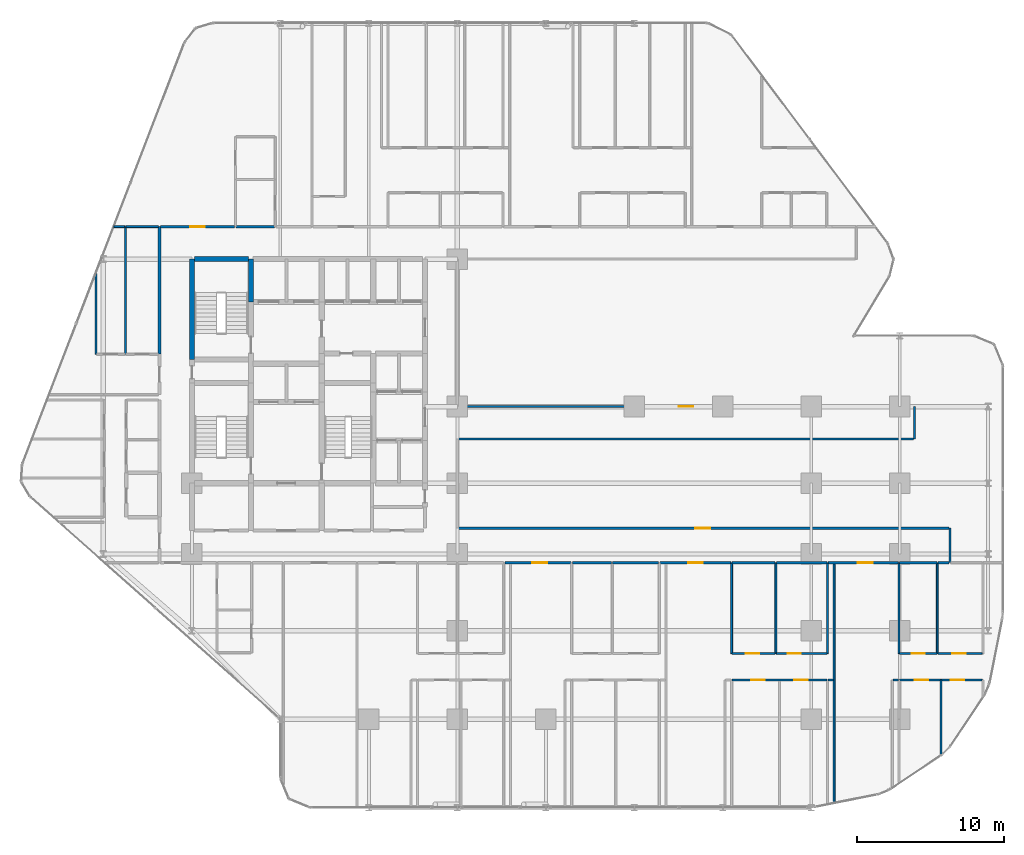
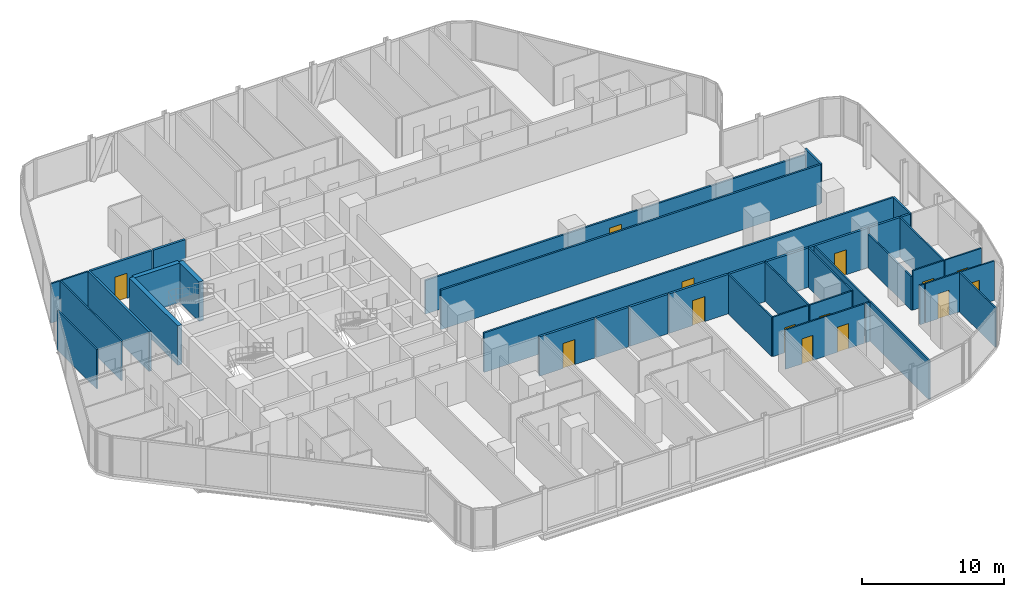
# One storey, part 29 of 33: 39 walls, 14 doors, 14 openings.
"""IFC4 building model written with IfcOpenShell, lengths in metres."""

import ifcopenshell
import ifcopenshell.guid

model = None  # the IFC model being written
_history = None  # IfcOwnerHistory: only IFC2X3 demands one
_inside = {}  # id of a spatial element -> (the spatial element, [elements in it])
_under = {}  # id of a project, library or spatial element -> (it, [spatial elements below it])
_declared = {}  # id of a project -> (the project, [libraries it declares])
_typed = {}  # id of a type object -> (the type object, [elements of that type])
_made_of = {}  # id of a material, layer set ... -> (it, [elements and type objects made of it])


def new_model(schema):
    """Start an empty IFC model of exactly this schema.

    Asked for "IFC4X3", IfcOpenShell would pick the latest addendum, in which some entities
    have other attributes; the version numbers below select the first issue.
    IFC2X3 requires an IfcOwnerHistory on every rooted entity: one is made here for all.
    """
    global model, _history
    if schema == "IFC4X3":
        model = ifcopenshell.file(schema_version=(4, 3, 0, 0))
    else:
        model = ifcopenshell.file(schema=schema)
    _inside.clear()
    _under.clear()
    _declared.clear()
    _typed.clear()
    _made_of.clear()
    _history = None
    if model.schema == "IFC2X3":
        org = make("IfcOrganization", Name="unknown")
        user = make(
            "IfcPersonAndOrganization",
            ThePerson=make("IfcPerson", FamilyName="unknown"),
            TheOrganization=org,
        )
        app = make(
            "IfcApplication",
            ApplicationDeveloper=org,
            Version="unknown",
            ApplicationFullName="unknown",
            ApplicationIdentifier="unknown",
        )
        _history = make(
            "IfcOwnerHistory",
            OwningUser=user,
            OwningApplication=app,
            ChangeAction="ADDED",
            CreationDate=0,
        )
    return model


def make(cls, **values):
    """One entity of the class cls with the attributes given. An attribute that is None is left unset."""
    return model.create_entity(
        cls, **{name: value for name, value in values.items() if value is not None}
    )


def rooted(cls, **values):
    """An entity with a GlobalId (a new one), such as an element, a storey or a relation."""
    return make(cls, GlobalId=ifcopenshell.guid.new(), OwnerHistory=_history, **values)


def si_unit(unit_type, name, prefix=None):
    """IfcSIUnit, for example si_unit("LENGTHUNIT", "METRE", prefix="MILLI")."""
    return make("IfcSIUnit", UnitType=unit_type, Prefix=prefix, Name=name)


def assignment(units):
    """IfcUnitAssignment: the units of a project."""
    return None if units is None else make("IfcUnitAssignment", Units=units)


def point(xyz):
    """IfcCartesianPoint."""
    return None if xyz is None else make("IfcCartesianPoint", Coordinates=xyz)


def direction(xyz):
    """IfcDirection."""
    return None if xyz is None else make("IfcDirection", DirectionRatios=xyz)


def frame(location, z_axis=None, x_axis=None):
    """IfcAxis2Placement3D, a coordinate frame: its origin and axes. An axis left out is left unset."""
    return make(
        "IfcAxis2Placement3D",
        Location=point(location),
        Axis=direction(z_axis),
        RefDirection=direction(x_axis),
    )


def frame_2d(location, x_axis=None):
    """IfcAxis2Placement2D, a coordinate frame in the plane: its origin and x axis."""
    return make(
        "IfcAxis2Placement2D", Location=point(location), RefDirection=direction(x_axis)
    )


def origin():
    """The frame at (0, 0, 0) with its axes left unset."""
    return frame((0.0, 0.0, 0.0))


def place(relative_to, where):
    """IfcLocalPlacement: puts the frame where relative to a parent placement (None: the world)."""
    return make(
        "IfcLocalPlacement", PlacementRelTo=relative_to, RelativePlacement=where
    )


def context(
    kind, dimensions, precision=None, world=None, true_north=None, identifier=None
):
    """IfcGeometricRepresentationContext, for example the 3D "Model" context."""
    return make(
        "IfcGeometricRepresentationContext",
        ContextIdentifier=identifier,
        ContextType=kind,
        CoordinateSpaceDimension=dimensions,
        Precision=precision,
        WorldCoordinateSystem=world,
        TrueNorth=true_north,
    )


def subcontext(parent, identifier, kind, view, scale=None):
    """IfcGeometricRepresentationSubContext, for example "Body" below "Model"."""
    return make(
        "IfcGeometricRepresentationSubContext",
        ContextIdentifier=identifier,
        ContextType=kind,
        ParentContext=parent,
        TargetScale=scale,
        TargetView=view,
    )


def project(units=None, contexts=None):
    """IfcProject with its units and contexts."""
    return rooted(
        "IfcProject",
        Name="project",
        RepresentationContexts=contexts,
        UnitsInContext=assignment(units),
    )


def spatial(cls, under=None, at=None, **own):
    """A site, building, storey or space (cls), placed at a placement, below another one or the project."""
    s = rooted(cls, ObjectPlacement=at, **own)
    if under is not None:
        _under.setdefault(under.id(), (under, []))[1].append(s)
    return s


def profile(cls, at=None, kind="AREA", **sizes):
    """A parametric profile (cls). Its sizes go by their IFC names, for example OverallWidth=200.0."""
    return make(cls, ProfileType=kind, Position=at, **sizes)


def rectangle(**sizes):
    """IfcRectangleProfileDef."""
    return profile("IfcRectangleProfileDef", **sizes)


def extrude(swept, where, along, depth):
    """IfcExtrudedAreaSolid: the profile swept, set in the frame where, extruded along a direction by depth."""
    return make(
        "IfcExtrudedAreaSolid",
        SweptArea=swept,
        Position=where,
        ExtrudedDirection=direction(along),
        Depth=depth,
    )


def shape(context_of_items, identifier, shape_type, items):
    """IfcShapeRepresentation: the items that make up one representation, for example the "Body"."""
    return make(
        "IfcShapeRepresentation",
        ContextOfItems=context_of_items,
        RepresentationIdentifier=identifier,
        RepresentationType=shape_type,
        Items=items,
    )


def material(Name=None, Category=None):
    """IfcMaterial."""
    return make("IfcMaterial", Name=Name, Category=Category)


def layer(
    of_material, thickness, ventilated=None, Name=None, Category=None, Priority=None
):
    """IfcMaterialLayer: one layer of a wall or slab, of a material (None: an air gap)."""
    return make(
        "IfcMaterialLayer",
        Material=of_material,
        LayerThickness=thickness,
        IsVentilated=ventilated,
        Name=Name,
        Category=Category,
        Priority=Priority,
    )


def layer_set(layers, Name=None):
    """IfcMaterialLayerSet."""
    return make("IfcMaterialLayerSet", MaterialLayers=layers, LayerSetName=Name)


def made_of(thing, what):
    """Note that an element or type object is made of a material, layer set ...; save() writes the relation."""
    if what is not None:
        _made_of.setdefault(what.id(), (what, []))[1].append(thing)
    return thing


def type_object(cls, material=None, **own):
    """A type object (cls), such as IfcWallType, which elements share."""
    return made_of(rooted(cls, **own), material)


def element(
    cls,
    number,
    at=None,
    inside=None,
    cuts=None,
    type_object=None,
    material=None,
    context=None,
    identifier="Body",
    shape_type=None,
    held_by="IfcProductDefinitionShape",
    body=None,
    shapes=None,
    **own,
):
    """One element of the class cls, such as IfcWall. Its Tag is "e" and its number.

    at: its placement. inside: the storey or other place that contains it. cuts: it is an
    opening in that element (IfcRelVoidsElement). A single representation is given by context,
    identifier, shape_type and body (its items); several are given by shapes. held_by: the class
    of the entity that holds the representations. save() writes the other relations.
    """
    e = rooted(cls, Tag="e%d" % number, ObjectPlacement=at, **own)
    if body is not None:
        shapes = [shape(context, identifier, shape_type, body)]
    if shapes is not None:
        e.Representation = make(held_by, Representations=shapes)
    if inside is not None:
        _inside.setdefault(inside.id(), (inside, []))[1].append(e)
    if cuts is not None:
        rooted(
            "IfcRelVoidsElement", RelatingBuildingElement=cuts, RelatedOpeningElement=e
        )
    if type_object is not None:
        _typed.setdefault(type_object.id(), (type_object, []))[1].append(e)
    return made_of(e, material)


def fill(opening, filler):
    """IfcRelFillsElement: the door or window that sits in an opening."""
    return rooted(
        "IfcRelFillsElement",
        RelatingOpeningElement=opening,
        RelatedBuildingElement=filler,
    )


def aggregate(whole, parts):
    """IfcRelAggregates: a whole, such as a stair, and the parts it consists of."""
    return rooted("IfcRelAggregates", RelatingObject=whole, RelatedObjects=parts)


def save(model, path):
    """Write the relations noted so far, then the file.

    IfcRelAggregates (storeys below a building ...), IfcRelContainedInSpatialStructure (elements
    in a storey), IfcRelDefinesByType, IfcRelAssociatesMaterial and IfcRelDeclares: one each for
    every whole, place, type object, material and project.
    """
    for whole, parts in _under.values():
        aggregate(whole, parts)
    for where, things in _inside.values():
        rooted(
            "IfcRelContainedInSpatialStructure",
            RelatedElements=things,
            RelatingStructure=where,
        )
    for kind, things in _typed.values():
        rooted("IfcRelDefinesByType", RelatedObjects=things, RelatingType=kind)
    for what, things in _made_of.values():
        rooted("IfcRelAssociatesMaterial", RelatedObjects=things, RelatingMaterial=what)
    for by, libraries in _declared.values():
        rooted("IfcRelDeclares", RelatingContext=by, RelatedDefinitions=libraries)
    model.write(path)


model = new_model("IFC4")

# Units and contexts
model_context = context("Model", 3, precision=1e-05, world=origin(), true_north=direction((0.0, 1.0)))
body_context = subcontext(model_context, "Body", "Model", "MODEL_VIEW")
ifc_project = project(units=[si_unit("LENGTHUNIT", "METRE"), si_unit("AREAUNIT", "SQUARE_METRE"), si_unit("VOLUMEUNIT", "CUBIC_METRE"), si_unit("PLANEANGLEUNIT", "RADIAN"), si_unit("MASSUNIT", "GRAM", prefix="KILO")], contexts=[model_context])

# Site, building, storey
site_placement = place(None, origin())
site = spatial("IfcSite", under=ifc_project, at=site_placement, CompositionType="ELEMENT")
building_placement = place(site_placement, origin())
building = spatial("IfcBuilding", under=site, at=building_placement, Name="Keshet Zoharim Tower", CompositionType="ELEMENT")
storey_placement = place(building_placement, frame((0.0, 0.0, 42.5)))
storey = spatial("IfcBuildingStorey", under=building, at=storey_placement, Name="L09", CompositionType="ELEMENT", Elevation=42.5)

# Walls
ifc_material_1 = material(Name="Gypsum Plasterboard", Category="gypsum")
ifc_layer_1 = layer(ifc_material_1, 0.14990234375)
ifc_layer_set_1 = layer_set([ifc_layer_1], Name="Gypsum Plasterboard")
wall_type_1 = type_object("IfcWallType", Name="WL-CLIN-150", PredefinedType="STANDARD", material=ifc_layer_set_1)
wall_1_placement = place(storey_placement, frame((64.0, 25.699951171875, 0.0), z_axis=(0.0, 0.0, 1.0), x_axis=(0.0, 1.0, 0.0)))
element("IfcWall", 1, at=wall_1_placement, inside=storey, type_object=wall_type_1, Name="L09 Interior Wall 114", PredefinedType="STANDARD", context=body_context, shape_type="SweptSolid", body=[
    extrude(rectangle(XDim=2.199951171875, YDim=0.14990234375, at=frame_2d((1.10009765625, 0.0))), origin(), (0.0, 0.0, 1.0), 3.385009765625),
])
wall_2_placement = place(storey_placement, frame((66.39990234375, 17.31005859375, 0.0), z_axis=(0.0, 0.0, 1.0), x_axis=(0.0, 1.0, 0.0)))
element("IfcWall", 2, at=wall_2_placement, inside=storey, type_object=wall_type_1, Name="L09 Interior Wall 117", PredefinedType="STANDARD", context=body_context, shape_type="SweptSolid", body=[
    extrude(rectangle(XDim=2.33984375, YDim=0.14990234375, at=frame_2d((1.169921875, 0.0))), origin(), (0.0, 0.0, 1.0), 3.385009765625),
])

# Wall, opening, door
wall_3_placement = place(storey_placement, frame((33.070068359375, 19.64990234375, 0.0), z_axis=(0.0, 0.0, 1.0), x_axis=(1.0, 0.0, 0.0)))
wall_3 = element("IfcWall", 3, at=wall_3_placement, inside=storey, type_object=wall_type_1, Name="L09 Interior Wall 164", PredefinedType="STANDARD", context=body_context, shape_type="SweptSolid", body=[
    extrude(rectangle(XDim=33.27001953125, YDim=0.14990234375, at=frame_2d((16.635009765625, 0.0))), origin(), (0.0, 0.0, 1.0), 3.385009765625),
])
opening_1_placement = place(wall_3_placement, frame((16.06494140625, 0.0, 0.0)))
opening_1 = element("IfcOpeningElement", 4, at=opening_1_placement, cuts=wall_3, Name="Opening D-F310", PredefinedType="OPENING", context=body_context, shape_type="SweptSolid", body=[
    extrude(rectangle(XDim=1.0, YDim=2.14990234375, at=frame_2d((0.5, 1.074951171875))), frame((0.0, 0.0849609375, 0.0), z_axis=(0.0, -1.0, 0.0), x_axis=(1.0, 0.0, 0.0)), (0.0, 0.0, 1.0), 0.169921875),
])
ifc_material_2 = material(Name="Hardwood Timber", Category="wood")
door_type_1 = type_object("IfcDoorType", Name="DR-FD30-100", OperationType="NOTDEFINED", PredefinedType="DOOR", material=ifc_material_2)
door_1_placement = place(opening_1_placement, origin())
door_1 = element("IfcDoor", 5, at=door_1_placement, inside=storey, type_object=door_type_1, Name="L09 North East Residents Services Suite Door 1", OperationType="SINGLE_SWING_RIGHT", OverallHeight=2.14990234375, OverallWidth=1.0, PredefinedType="DOOR", context=body_context, shape_type="SweptSolid", body=[
    extrude(rectangle(XDim=1.0, YDim=2.14990234375, at=frame_2d((0.5, 1.074951171875))), frame((0.0, 0.02490234375, 0.0), z_axis=(0.0, -1.0, 0.0), x_axis=(1.0, 0.0, 0.0)), (0.0, 0.0, 1.0), 0.050048828125),
])
fill(opening_1, door_1)

# Wall
wall_4_placement = place(storey_placement, frame((33.070068359375, 25.699951171875, 0.0), z_axis=(0.0, 0.0, 1.0), x_axis=(1.0, 0.0, 0.0)))
element("IfcWall", 6, at=wall_4_placement, inside=storey, type_object=wall_type_1, Name="L09 Interior Wall 178", PredefinedType="STANDARD", context=body_context, shape_type="SweptSolid", body=[
    extrude(rectangle(XDim=30.869873046875, YDim=0.14990234375, at=frame_2d((15.43505859375, 0.0))), origin(), (0.0, 0.0, 1.0), 3.385009765625),
])

# Wall, opening, door
wall_5_placement = place(storey_placement, frame((33.070068359375, 27.89990234375, 0.0), z_axis=(0.0, 0.0, 1.0), x_axis=(1.0, 0.0, 0.0)))
wall_5 = element("IfcWall", 7, at=wall_5_placement, inside=storey, type_object=wall_type_1, Name="L09 Interior Wall 179", PredefinedType="STANDARD", context=body_context, shape_type="SweptSolid", body=[
    extrude(rectangle(XDim=30.869873046875, YDim=0.14990234375, at=frame_2d((15.43505859375, 0.0))), origin(), (0.0, 0.0, 1.0), 2.885009765625),
])
opening_2_placement = place(wall_5_placement, frame((14.93505859375, 0.0, 0.0)))
opening_2 = element("IfcOpeningElement", 8, at=opening_2_placement, cuts=wall_5, Name="Opening D-F310", PredefinedType="OPENING", context=body_context, shape_type="SweptSolid", body=[
    extrude(rectangle(XDim=1.0, YDim=2.14990234375, at=frame_2d((0.5, 1.074951171875))), frame((0.0, 0.0849609375, 0.0), z_axis=(0.0, -1.0, 0.0), x_axis=(1.0, 0.0, 0.0)), (0.0, 0.0, 1.0), 0.169921875),
])
door_2_placement = place(opening_2_placement, origin())
door_2 = element("IfcDoor", 9, at=door_2_placement, inside=storey, type_object=door_type_1, Name="L09 North East Residents Services Suite Door 2", OperationType="SINGLE_SWING_RIGHT", OverallHeight=2.14990234375, OverallWidth=1.0, PredefinedType="DOOR", context=body_context, shape_type="SweptSolid", body=[
    extrude(rectangle(XDim=1.0, YDim=2.14990234375, at=frame_2d((0.5, 1.074951171875))), frame((0.0, 0.02490234375, 0.0), z_axis=(0.0, -1.0, 0.0), x_axis=(1.0, 0.0, 0.0)), (0.0, 0.0, 1.0), 0.050048828125),
])
fill(opening_2, door_2)

# Walls
ifc_material_3 = material(Name="Concrete C60/75", Category="concrete")
ifc_layer_2 = layer(ifc_material_3, 0.35009765625)
ifc_layer_set_2 = layer_set([ifc_layer_2], Name="Concrete C60/75")
wall_type_2 = type_object("IfcWallType", Name="WL-CORE-350", PredefinedType="SHEAR", material=ifc_layer_set_2)
wall_6_placement = place(storey_placement, frame((15.0, 31.10009765625, 0.0), z_axis=(0.0, 0.0, 1.0), x_axis=(0.0, 1.0, 0.0)))
element("IfcWall", 10, at=wall_6_placement, inside=storey, type_object=wall_type_2, Name="L09 Core Shear Wall 016", PredefinedType="SHEAR", context=body_context, shape_type="SweptSolid", body=[
    extrude(rectangle(XDim=6.7998046875, YDim=0.35009765625, at=frame_2d((3.39990234375, 0.0))), origin(), (0.0, 0.0, 1.0), 3.385009765625),
])
wall_7_placement = place(storey_placement, frame((19.0, 35.0, 0.0), z_axis=(0.0, 0.0, 1.0), x_axis=(0.0, 1.0, 0.0)))
element("IfcWall", 11, at=wall_7_placement, inside=storey, type_object=wall_type_2, Name="L09 Core Shear Wall 025", PredefinedType="SHEAR", context=body_context, shape_type="SweptSolid", body=[
    extrude(rectangle(XDim=2.89990234375, YDim=0.35009765625, at=frame_2d((1.449951171875, 0.0))), origin(), (0.0, 0.0, 1.0), 3.385009765625),
])
wall_8_placement = place(storey_placement, frame((15.159912109375, 37.89990234375, 0.0), z_axis=(0.0, 0.0, 1.0), x_axis=(1.0, 0.0, 0.0)))
element("IfcWall", 12, at=wall_8_placement, inside=storey, type_object=wall_type_2, Name="L09 Core Shear Wall 195", PredefinedType="SHEAR", context=body_context, shape_type="SweptSolid", body=[
    extrude(rectangle(XDim=3.68017578125, YDim=0.35009765625, at=frame_2d((1.840087890625, 0.0))), origin(), (0.0, 0.0, 1.0), 3.385009765625),
])
ifc_layer_3 = layer(ifc_material_1, 0.179931640625)
ifc_layer_set_3 = layer_set([ifc_layer_3], Name="Gypsum Plasterboard")
wall_type_3 = type_object("IfcWallType", Name="WL-CORR-180", PredefinedType="STANDARD", material=ifc_layer_set_3)
wall_9_placement = place(storey_placement, frame((12.800048828125, 31.449951171875, 0.0), z_axis=(0.0, 0.0, 1.0), x_axis=(0.0, 1.0, 0.0)))
element("IfcWall", 13, at=wall_9_placement, inside=storey, type_object=wall_type_3, Name="L09 Interior Wall 012", PredefinedType="STANDARD", context=body_context, shape_type="SweptSolid", body=[
    extrude(rectangle(XDim=8.650146484375, YDim=0.179931640625, at=frame_2d((4.3251953125, 0.0))), origin(), (0.0, 0.0, 1.0), 3.385009765625),
])

# Wall, opening, door
wall_10_placement = place(storey_placement, frame((36.215087890625, 17.300048828125, 0.0), z_axis=(0.0, 0.0, 1.0), x_axis=(1.0, 0.0, 0.0)))
wall_10 = element("IfcWall", 14, at=wall_10_placement, inside=storey, type_object=wall_type_3, Name="L09 Interior Wall 149", PredefinedType="STANDARD", context=body_context, shape_type="SweptSolid", body=[
    extrude(rectangle(XDim=4.5, YDim=0.179931640625, at=frame_2d((2.25, 0.0))), origin(), (0.0, 0.0, 1.0), 3.385009765625),
])
opening_3_placement = place(wall_10_placement, frame((1.87890625, 0.0, 0.0)))
opening_3 = element("IfcOpeningElement", 15, at=opening_3_placement, cuts=wall_10, Name="Opening D-F310", PredefinedType="OPENING", context=body_context, shape_type="SweptSolid", body=[
    extrude(rectangle(XDim=1.0, YDim=2.14990234375, at=frame_2d((0.5, 1.074951171875))), frame((0.0, 0.10009765625, 0.0), z_axis=(0.0, -1.0, 0.0), x_axis=(1.0, 0.0, 0.0)), (0.0, 0.0, 1.0), 0.199951171875),
])
door_3_placement = place(opening_3_placement, origin())
door_3 = element("IfcDoor", 16, at=door_3_placement, inside=storey, type_object=door_type_1, Name="Apartment 0903 Entrance Door", OperationType="SINGLE_SWING_LEFT", OverallHeight=2.14990234375, OverallWidth=1.0, PredefinedType="DOOR", context=body_context, shape_type="SweptSolid", body=[
    extrude(rectangle(XDim=1.0, YDim=2.14990234375, at=frame_2d((0.5, 1.074951171875))), frame((0.0, 0.02490234375, 0.0), z_axis=(0.0, -1.0, 0.0), x_axis=(1.0, 0.0, 0.0)), (0.0, 0.0, 1.0), 0.050048828125),
])
fill(opening_3, door_3)

# Walls
wall_11_placement = place(storey_placement, frame((40.804931640625, 17.300048828125, 0.0), z_axis=(0.0, 0.0, 1.0), x_axis=(1.0, 0.0, 0.0)))
element("IfcWall", 17, at=wall_11_placement, inside=storey, type_object=wall_type_3, Name="L09 Interior Wall 150", PredefinedType="STANDARD", context=body_context, shape_type="SweptSolid", body=[
    extrude(rectangle(XDim=2.64208984375, YDim=0.179931640625, at=frame_2d((1.321044921875, 0.0))), origin(), (0.0, 0.0, 1.0), 3.385009765625),
])
wall_12_placement = place(storey_placement, frame((43.537109375, 17.300048828125, 0.0), z_axis=(0.0, 0.0, 1.0), x_axis=(1.0, 0.0, 0.0)))
element("IfcWall", 18, at=wall_12_placement, inside=storey, type_object=wall_type_3, Name="L09 Interior Wall 151", PredefinedType="STANDARD", context=body_context, shape_type="SweptSolid", body=[
    extrude(rectangle(XDim=3.117919921875, YDim=0.179931640625, at=frame_2d((1.55908203125, 0.0))), origin(), (0.0, 0.0, 1.0), 3.385009765625),
])

# Wall, opening, door
wall_13_placement = place(storey_placement, frame((46.7451171875, 17.300048828125, 0.0), z_axis=(0.0, 0.0, 1.0), x_axis=(1.0, 0.0, 0.0)))
wall_13 = element("IfcWall", 19, at=wall_13_placement, inside=storey, type_object=wall_type_3, Name="L09 Interior Wall 152", PredefinedType="STANDARD", context=body_context, shape_type="SweptSolid", body=[
    extrude(rectangle(XDim=4.7998046875, YDim=0.179931640625, at=frame_2d((2.39990234375, 0.0))), origin(), (0.0, 0.0, 1.0), 3.385009765625),
])
opening_4_placement = place(wall_13_placement, frame((1.89990234375, 0.0, 0.0)))
opening_4 = element("IfcOpeningElement", 20, at=opening_4_placement, cuts=wall_13, Name="Opening D-F310", PredefinedType="OPENING", context=body_context, shape_type="SweptSolid", body=[
    extrude(rectangle(XDim=1.0, YDim=2.14990234375, at=frame_2d((0.5, 1.074951171875))), frame((0.0, 0.10009765625, 0.0), z_axis=(0.0, -1.0, 0.0), x_axis=(1.0, 0.0, 0.0)), (0.0, 0.0, 1.0), 0.199951171875),
])
door_4_placement = place(opening_4_placement, origin())
door_4 = element("IfcDoor", 21, at=door_4_placement, inside=storey, type_object=door_type_1, Name="Apartment 0904 Entrance Door", OperationType="SINGLE_SWING_RIGHT", OverallHeight=2.14990234375, OverallWidth=1.0, PredefinedType="DOOR", context=body_context, shape_type="SweptSolid", body=[
    extrude(rectangle(XDim=1.0, YDim=2.14990234375, at=frame_2d((0.5, 1.074951171875))), frame((0.0, 0.02490234375, 0.0), z_axis=(0.0, -1.0, 0.0), x_axis=(1.0, 0.0, 0.0)), (0.0, 0.0, 1.0), 0.050048828125),
])
fill(opening_4, door_4)

# Walls
wall_14_placement = place(storey_placement, frame((51.635009765625, 17.300048828125, 0.0), z_axis=(0.0, 0.0, 1.0), x_axis=(1.0, 0.0, 0.0)))
element("IfcWall", 22, at=wall_14_placement, inside=storey, type_object=wall_type_3, Name="L09 Interior Wall 153", PredefinedType="STANDARD", context=body_context, shape_type="SweptSolid", body=[
    extrude(rectangle(XDim=2.905029296875, YDim=0.179931640625, at=frame_2d((1.45263671875, 0.0))), origin(), (0.0, 0.0, 1.0), 3.385009765625),
])
wall_15_placement = place(storey_placement, frame((54.6298828125, 17.300048828125, 0.0), z_axis=(0.0, 0.0, 1.0), x_axis=(1.0, 0.0, 0.0)))
element("IfcWall", 23, at=wall_15_placement, inside=storey, type_object=wall_type_3, Name="L09 Interior Wall 154", PredefinedType="STANDARD", context=body_context, shape_type="SweptSolid", body=[
    extrude(rectangle(XDim=3.425048828125, YDim=0.179931640625, at=frame_2d((1.71240234375, 0.0))), origin(), (0.0, 0.0, 1.0), 3.385009765625),
])

# Wall, opening, door
wall_16_placement = place(storey_placement, frame((58.14501953125, 17.300048828125, 0.0), z_axis=(0.0, 0.0, 1.0), x_axis=(1.0, 0.0, 0.0)))
wall_16 = element("IfcWall", 24, at=wall_16_placement, inside=storey, type_object=wall_type_3, Name="L09 Interior Wall 155", PredefinedType="STANDARD", context=body_context, shape_type="SweptSolid", body=[
    extrude(rectangle(XDim=4.760009765625, YDim=0.179931640625, at=frame_2d((2.3798828125, 0.0))), origin(), (0.0, 0.0, 1.0), 3.385009765625),
])
opening_5_placement = place(wall_16_placement, frame((2.010009765625, 0.0, 0.0)))
opening_5 = element("IfcOpeningElement", 25, at=opening_5_placement, cuts=wall_16, Name="Opening D-F310", PredefinedType="OPENING", context=body_context, shape_type="SweptSolid", body=[
    extrude(rectangle(XDim=1.0, YDim=2.14990234375, at=frame_2d((0.5, 1.074951171875))), frame((0.0, 0.10009765625, 0.0), z_axis=(0.0, -1.0, 0.0), x_axis=(1.0, 0.0, 0.0)), (0.0, 0.0, 1.0), 0.199951171875),
])
door_5_placement = place(opening_5_placement, origin())
door_5 = element("IfcDoor", 26, at=door_5_placement, inside=storey, type_object=door_type_1, Name="Apartment 0905 Entrance Door", OperationType="SINGLE_SWING_LEFT", OverallHeight=2.14990234375, OverallWidth=1.0, PredefinedType="DOOR", context=body_context, shape_type="SweptSolid", body=[
    extrude(rectangle(XDim=1.0, YDim=2.14990234375, at=frame_2d((0.5, 1.074951171875))), frame((0.0, 0.02490234375, 0.0), z_axis=(0.0, -1.0, 0.0), x_axis=(1.0, 0.0, 0.0)), (0.0, 0.0, 1.0), 0.050048828125),
])
fill(opening_5, door_5)

# Walls
wall_17_placement = place(storey_placement, frame((62.9951171875, 17.300048828125, 0.0), z_axis=(0.0, 0.0, 1.0), x_axis=(1.0, 0.0, 0.0)))
element("IfcWall", 27, at=wall_17_placement, inside=storey, type_object=wall_type_3, Name="L09 Interior Wall 156", PredefinedType="STANDARD", context=body_context, shape_type="SweptSolid", body=[
    extrude(rectangle(XDim=2.52294921875, YDim=0.179931640625, at=frame_2d((1.261474609375, 0.0))), origin(), (0.0, 0.0, 1.0), 3.385009765625),
])
wall_18_placement = place(storey_placement, frame((65.60791015625, 17.300048828125, 0.0), z_axis=(0.0, 0.0, 1.0), x_axis=(1.0, 0.0, 0.0)))
element("IfcWall", 28, at=wall_18_placement, inside=storey, type_object=wall_type_3, Name="L09 Interior Wall 157", PredefinedType="STANDARD", context=body_context, shape_type="SweptSolid", body=[
    extrude(rectangle(XDim=0.732177734375, YDim=0.179931640625, at=frame_2d((0.3662109375, 0.0))), origin(), (0.0, 0.0, 1.0), 3.385009765625),
])

# Wall, opening, door
wall_19_placement = place(storey_placement, frame((12.875, 40.10009765625, 0.0), z_axis=(0.0, 0.0, 1.0), x_axis=(1.0, 0.0, 0.0)))
wall_19 = element("IfcWall", 29, at=wall_19_placement, inside=storey, type_object=wall_type_3, Name="L09 Interior Wall 200", PredefinedType="STANDARD", context=body_context, shape_type="SweptSolid", body=[
    extrude(rectangle(XDim=5.030029296875, YDim=0.179931640625, at=frame_2d((2.51513671875, 0.0))), origin(), (0.0, 0.0, 1.0), 3.385009765625),
])
opening_6_placement = place(wall_19_placement, frame((2.0, 0.0, 0.0)))
opening_6 = element("IfcOpeningElement", 30, at=opening_6_placement, cuts=wall_19, Name="Opening D-F310", PredefinedType="OPENING", context=body_context, shape_type="SweptSolid", body=[
    extrude(rectangle(XDim=1.0, YDim=2.14990234375, at=frame_2d((0.5, 1.074951171875))), frame((0.0, 0.10009765625, 0.0), z_axis=(0.0, -1.0, 0.0), x_axis=(1.0, 0.0, 0.0)), (0.0, 0.0, 1.0), 0.199951171875),
])
door_6_placement = place(opening_6_placement, origin())
door_6 = element("IfcDoor", 31, at=door_6_placement, inside=storey, type_object=door_type_1, Name="Apartment 0906 Entrance Door", OperationType="SINGLE_SWING_RIGHT", OverallHeight=2.14990234375, OverallWidth=1.0, PredefinedType="DOOR", context=body_context, shape_type="SweptSolid", body=[
    extrude(rectangle(XDim=1.0, YDim=2.14990234375, at=frame_2d((0.5, 1.074951171875))), frame((0.0, 0.02490234375, 0.0), z_axis=(0.0, -1.0, 0.0), x_axis=(1.0, 0.0, 0.0)), (0.0, 0.0, 1.0), 0.050048828125),
])
fill(opening_6, door_6)

# Walls
wall_20_placement = place(storey_placement, frame((17.9951171875, 40.10009765625, 0.0), z_axis=(0.0, 0.0, 1.0), x_axis=(1.0, 0.0, 0.0)))
element("IfcWall", 32, at=wall_20_placement, inside=storey, type_object=wall_type_3, Name="L09 Interior Wall 201", PredefinedType="STANDARD", context=body_context, shape_type="SweptSolid", body=[
    extrude(rectangle(XDim=2.60986328125, YDim=0.179931640625, at=frame_2d((1.304931640625, 0.0))), origin(), (0.0, 0.0, 1.0), 3.385009765625),
])
ifc_layer_4 = layer(ifc_material_1, 0.1201171875)
ifc_layer_set_4 = layer_set([ifc_layer_4], Name="Gypsum Plasterboard")
wall_type_4 = type_object("IfcWallType", Name="WL-PART-120", PredefinedType="PARTITIONING", material=ifc_layer_set_4)
wall_21_placement = place(storey_placement, frame((8.5, 31.449951171875, 0.0), z_axis=(0.0, 0.0, 1.0), x_axis=(0.0, 1.0, 0.0)))
element("IfcWall", 33, at=wall_21_placement, inside=storey, type_object=wall_type_4, Name="L09 Interior Wall 001", PredefinedType="PARTITIONING", context=body_context, shape_type="SweptSolid", body=[
    extrude(rectangle(XDim=5.5400390625, YDim=0.1201171875, at=frame_2d((2.77001953125, 0.0))), origin(), (0.0, 0.0, 1.0), 3.385009765625),
])
wall_22_placement = place(storey_placement, frame((51.60009765625, 11.14990234375, 0.0), z_axis=(0.0, 0.0, 1.0), x_axis=(0.0, 1.0, 0.0)))
element("IfcWall", 34, at=wall_22_placement, inside=storey, type_object=wall_type_4, Name="L09 Interior Wall 100", PredefinedType="PARTITIONING", context=body_context, shape_type="SweptSolid", body=[
    extrude(rectangle(XDim=6.150146484375, YDim=0.1201171875, at=frame_2d((3.0751953125, 0.0))), origin(), (0.0, 0.0, 1.0), 3.385009765625),
])
wall_23_placement = place(storey_placement, frame((58.550048828125, 1.01806640625, 0.0), z_axis=(0.0, 0.0, 1.0), x_axis=(0.0, 1.0, 0.0)))
element("IfcWall", 35, at=wall_23_placement, inside=storey, type_object=wall_type_4, Name="L09 Interior Wall 109", PredefinedType="PARTITIONING", context=body_context, shape_type="SweptSolid", body=[
    extrude(rectangle(XDim=16.281982421875, YDim=0.1201171875, at=frame_2d((8.14111328125, 0.0))), origin(), (0.0, 0.0, 1.0), 3.385009765625),
])
wall_24_placement = place(storey_placement, frame((62.949951171875, 11.14990234375, 0.0), z_axis=(0.0, 0.0, 1.0), x_axis=(0.0, 1.0, 0.0)))
element("IfcWall", 36, at=wall_24_placement, inside=storey, type_object=wall_type_4, Name="L09 Interior Wall 113", PredefinedType="PARTITIONING", context=body_context, shape_type="SweptSolid", body=[
    extrude(rectangle(XDim=6.150146484375, YDim=0.1201171875, at=frame_2d((3.0751953125, 0.0))), origin(), (0.0, 0.0, 1.0), 2.885009765625),
])
wall_25_placement = place(storey_placement, frame((65.800048828125, 4.256103515625, 0.0), z_axis=(0.0, 0.0, 1.0), x_axis=(0.0, 1.0, 0.0)))
element("IfcWall", 37, at=wall_25_placement, inside=storey, type_object=wall_type_4, Name="L09 Interior Wall 116", PredefinedType="PARTITIONING", context=body_context, shape_type="SweptSolid", body=[
    extrude(rectangle(XDim=5.093994140625, YDim=0.1201171875, at=frame_2d((2.546875, 0.0))), origin(), (0.0, 0.0, 1.0), 3.385009765625),
])

# Wall, openings, doors
wall_26_placement = place(storey_placement, frame((51.635009765625, 9.35009765625, 0.0), z_axis=(0.0, 0.0, 1.0), x_axis=(1.0, 0.0, 0.0)))
wall_26 = element("IfcWall", 38, at=wall_26_placement, inside=storey, type_object=wall_type_4, Name="L09 Interior Wall 127", PredefinedType="PARTITIONING", context=body_context, shape_type="SweptSolid", body=[
    extrude(rectangle(XDim=6.419921875, YDim=0.1201171875, at=frame_2d((3.2099609375, 0.0))), origin(), (0.0, 0.0, 1.0), 3.385009765625),
])
opening_7_placement = place(wall_26_placement, frame((1.306884765625, 0.0, 0.0)))
opening_7 = element("IfcOpeningElement", 39, at=opening_7_placement, cuts=wall_26, Name="Opening D-IN90", PredefinedType="OPENING", context=body_context, shape_type="SweptSolid", body=[
    extrude(rectangle(XDim=0.89990234375, YDim=2.14990234375, at=frame_2d((0.449951171875, 1.074951171875))), frame((0.0, 0.070068359375, 0.0), z_axis=(0.0, -1.0, 0.0), x_axis=(1.0, 0.0, 0.0)), (0.0, 0.0, 1.0), 0.14013671875),
])
opening_8_placement = place(wall_26_placement, frame((4.2119140625, 0.0, 0.0)))
opening_8 = element("IfcOpeningElement", 40, at=opening_8_placement, cuts=wall_26, Name="Opening D-IN90", PredefinedType="OPENING", context=body_context, shape_type="SweptSolid", body=[
    extrude(rectangle(XDim=0.89990234375, YDim=2.14990234375, at=frame_2d((0.449951171875, 1.074951171875))), frame((0.0, 0.070068359375, 0.0), z_axis=(0.0, -1.0, 0.0), x_axis=(1.0, 0.0, 0.0)), (0.0, 0.0, 1.0), 0.14013671875),
])
door_type_2 = type_object("IfcDoorType", Name="DR-INT-090", OperationType="NOTDEFINED", PredefinedType="DOOR", material=ifc_material_2)
door_7_placement = place(opening_7_placement, origin())
door_7 = element("IfcDoor", 41, at=door_7_placement, inside=storey, type_object=door_type_2, Name="Apartment 0904 Bedroom 1 Door", OperationType="SINGLE_SWING_RIGHT", OverallHeight=2.14990234375, OverallWidth=0.89990234375, PredefinedType="DOOR", context=body_context, shape_type="SweptSolid", body=[
    extrude(rectangle(XDim=0.89990234375, YDim=2.14990234375, at=frame_2d((0.449951171875, 1.074951171875))), frame((0.0, 0.02490234375, 0.0), z_axis=(0.0, -1.0, 0.0), x_axis=(1.0, 0.0, 0.0)), (0.0, 0.0, 1.0), 0.050048828125),
])
fill(opening_7, door_7)
door_8_placement = place(opening_8_placement, origin())
door_8 = element("IfcDoor", 42, at=door_8_placement, inside=storey, type_object=door_type_2, Name="Apartment 0904 Bedroom 2 Door", OperationType="SINGLE_SWING_LEFT", OverallHeight=2.14990234375, OverallWidth=0.89990234375, PredefinedType="DOOR", context=body_context, shape_type="SweptSolid", body=[
    extrude(rectangle(XDim=0.89990234375, YDim=2.14990234375, at=frame_2d((0.449951171875, 1.074951171875))), frame((0.0, 0.02490234375, 0.0), z_axis=(0.0, -1.0, 0.0), x_axis=(1.0, 0.0, 0.0)), (0.0, 0.0, 1.0), 0.050048828125),
])
fill(opening_8, door_8)

# Walls
wall_27_placement = place(storey_placement, frame((58.14501953125, 9.35009765625, 0.0), z_axis=(0.0, 0.0, 1.0), x_axis=(1.0, 0.0, 0.0)))
element("IfcWall", 43, at=wall_27_placement, inside=storey, type_object=wall_type_4, Name="L09 Interior Wall 128", PredefinedType="PARTITIONING", context=body_context, shape_type="SweptSolid", body=[
    extrude(rectangle(XDim=0.35986328125, YDim=0.1201171875, at=frame_2d((0.179931640625, 0.0))), origin(), (0.0, 0.0, 1.0), 3.385009765625),
])
wall_28_placement = place(storey_placement, frame((62.544921875, 9.35009765625, 0.0), z_axis=(0.0, 0.0, 1.0), x_axis=(1.0, 0.0, 0.0)))
element("IfcWall", 44, at=wall_28_placement, inside=storey, type_object=wall_type_4, Name="L09 Interior Wall 129", PredefinedType="PARTITIONING", context=body_context, shape_type="SweptSolid", body=[
    extrude(rectangle(XDim=0.360107421875, YDim=0.1201171875, at=frame_2d((0.18017578125, 0.0))), origin(), (0.0, 0.0, 1.0), 3.385009765625),
])

# Wall, openings, doors
wall_29_placement = place(storey_placement, frame((62.9951171875, 9.35009765625, 0.0), z_axis=(0.0, 0.0, 1.0), x_axis=(1.0, 0.0, 0.0)))
wall_29 = element("IfcWall", 45, at=wall_29_placement, inside=storey, type_object=wall_type_4, Name="L09 Interior Wall 130", PredefinedType="PARTITIONING", context=body_context, shape_type="SweptSolid", body=[
    extrude(rectangle(XDim=5.5908203125, YDim=0.1201171875, at=frame_2d((2.79541015625, 0.0))), origin(), (0.0, 0.0, 1.0), 3.385009765625),
])
opening_9_placement = place(wall_29_placement, frame((1.02490234375, 0.0, 0.0)))
opening_9 = element("IfcOpeningElement", 46, at=opening_9_placement, cuts=wall_29, Name="Opening D-IN90", PredefinedType="OPENING", context=body_context, shape_type="SweptSolid", body=[
    extrude(rectangle(XDim=0.89990234375, YDim=2.14990234375, at=frame_2d((0.449951171875, 1.074951171875))), frame((0.0, 0.070068359375, 0.0), z_axis=(0.0, -1.0, 0.0), x_axis=(1.0, 0.0, 0.0)), (0.0, 0.0, 1.0), 0.14013671875),
])
opening_10_placement = place(wall_29_placement, frame((3.47607421875, 0.0, 0.0)))
opening_10 = element("IfcOpeningElement", 47, at=opening_10_placement, cuts=wall_29, Name="Opening D-IN90", PredefinedType="OPENING", context=body_context, shape_type="SweptSolid", body=[
    extrude(rectangle(XDim=0.89990234375, YDim=2.14990234375, at=frame_2d((0.449951171875, 1.074951171875))), frame((0.0, 0.070068359375, 0.0), z_axis=(0.0, -1.0, 0.0), x_axis=(1.0, 0.0, 0.0)), (0.0, 0.0, 1.0), 0.14013671875),
])
door_9_placement = place(opening_9_placement, origin())
door_9 = element("IfcDoor", 48, at=door_9_placement, inside=storey, type_object=door_type_2, Name="Apartment 0905 Bedroom 1 Door", OperationType="SINGLE_SWING_RIGHT", OverallHeight=2.14990234375, OverallWidth=0.89990234375, PredefinedType="DOOR", context=body_context, shape_type="SweptSolid", body=[
    extrude(rectangle(XDim=0.89990234375, YDim=2.14990234375, at=frame_2d((0.449951171875, 1.074951171875))), frame((0.0, 0.02490234375, 0.0), z_axis=(0.0, -1.0, 0.0), x_axis=(1.0, 0.0, 0.0)), (0.0, 0.0, 1.0), 0.050048828125),
])
fill(opening_9, door_9)
door_10_placement = place(opening_10_placement, origin())
door_10 = element("IfcDoor", 49, at=door_10_placement, inside=storey, type_object=door_type_2, Name="Apartment 0905 Bedroom 2 Door", OperationType="SINGLE_SWING_LEFT", OverallHeight=2.14990234375, OverallWidth=0.89990234375, PredefinedType="DOOR", context=body_context, shape_type="SweptSolid", body=[
    extrude(rectangle(XDim=0.89990234375, YDim=2.14990234375, at=frame_2d((0.449951171875, 1.074951171875))), frame((0.0, 0.02490234375, 0.0), z_axis=(0.0, -1.0, 0.0), x_axis=(1.0, 0.0, 0.0)), (0.0, 0.0, 1.0), 0.050048828125),
])
fill(opening_10, door_10)

# Wall, opening, door
wall_30_placement = place(storey_placement, frame((51.635009765625, 11.14990234375, 0.0), z_axis=(0.0, 0.0, 1.0), x_axis=(1.0, 0.0, 0.0)))
wall_30 = element("IfcWall", 50, at=wall_30_placement, inside=storey, type_object=wall_type_4, Name="L09 Interior Wall 135", PredefinedType="PARTITIONING", context=body_context, shape_type="SweptSolid", body=[
    extrude(rectangle(XDim=2.905029296875, YDim=0.1201171875, at=frame_2d((1.45263671875, 0.0))), origin(), (0.0, 0.0, 1.0), 3.385009765625),
])
opening_11_placement = place(wall_30_placement, frame((0.929931640625, 0.0, 0.0)))
opening_11 = element("IfcOpeningElement", 51, at=opening_11_placement, cuts=wall_30, Name="Opening D-IN90", PredefinedType="OPENING", context=body_context, shape_type="SweptSolid", body=[
    extrude(rectangle(XDim=0.89990234375, YDim=2.14990234375, at=frame_2d((0.449951171875, 1.074951171875))), frame((0.0, 0.070068359375, 0.0), z_axis=(0.0, -1.0, 0.0), x_axis=(1.0, 0.0, 0.0)), (0.0, 0.0, 1.0), 0.14013671875),
])
door_11_placement = place(opening_11_placement, origin())
door_11 = element("IfcDoor", 52, at=door_11_placement, inside=storey, type_object=door_type_2, Name="Apartment 0904 Kitchen Door", OperationType="SINGLE_SWING_RIGHT", OverallHeight=2.14990234375, OverallWidth=0.89990234375, PredefinedType="DOOR", context=body_context, shape_type="SweptSolid", body=[
    extrude(rectangle(XDim=0.89990234375, YDim=2.14990234375, at=frame_2d((0.449951171875, 1.074951171875))), frame((0.0, 0.02490234375, 0.0), z_axis=(0.0, -1.0, 0.0), x_axis=(1.0, 0.0, 0.0)), (0.0, 0.0, 1.0), 0.050048828125),
])
fill(opening_11, door_11)

wall_31_placement = place(storey_placement, frame((62.9951171875, 11.14990234375, 0.0), z_axis=(0.0, 0.0, 1.0), x_axis=(1.0, 0.0, 0.0)))
wall_31 = element("IfcWall", 53, at=wall_31_placement, inside=storey, type_object=wall_type_4, Name="L09 Interior Wall 137", PredefinedType="PARTITIONING", context=body_context, shape_type="SweptSolid", body=[
    extrude(rectangle(XDim=2.52294921875, YDim=0.1201171875, at=frame_2d((1.261474609375, 0.0))), origin(), (0.0, 0.0, 1.0), 3.385009765625),
])
opening_12_placement = place(wall_31_placement, frame((0.81201171875, 0.0, 0.0)))
opening_12 = element("IfcOpeningElement", 54, at=opening_12_placement, cuts=wall_31, Name="Opening D-IN90", PredefinedType="OPENING", context=body_context, shape_type="SweptSolid", body=[
    extrude(rectangle(XDim=0.89990234375, YDim=2.14990234375, at=frame_2d((0.449951171875, 1.074951171875))), frame((0.0, 0.070068359375, 0.0), z_axis=(0.0, -1.0, 0.0), x_axis=(1.0, 0.0, 0.0)), (0.0, 0.0, 1.0), 0.14013671875),
])
door_12_placement = place(opening_12_placement, origin())
door_12 = element("IfcDoor", 55, at=door_12_placement, inside=storey, type_object=door_type_2, Name="Apartment 0905 Kitchen Door", OperationType="SINGLE_SWING_RIGHT", OverallHeight=2.14990234375, OverallWidth=0.89990234375, PredefinedType="DOOR", context=body_context, shape_type="SweptSolid", body=[
    extrude(rectangle(XDim=0.89990234375, YDim=2.14990234375, at=frame_2d((0.449951171875, 1.074951171875))), frame((0.0, 0.02490234375, 0.0), z_axis=(0.0, -1.0, 0.0), x_axis=(1.0, 0.0, 0.0)), (0.0, 0.0, 1.0), 0.050048828125),
])
fill(opening_12, door_12)

# Walls
wall_32_placement = place(storey_placement, frame((9.701904296875, 40.10009765625, 0.0), z_axis=(0.0, 0.0, 1.0), x_axis=(1.0, 0.0, 0.0)))
element("IfcWall", 56, at=wall_32_placement, inside=storey, type_object=wall_type_4, Name="L09 Interior Wall 198", PredefinedType="PARTITIONING", context=body_context, shape_type="SweptSolid", body=[
    extrude(rectangle(XDim=0.731201171875, YDim=0.1201171875, at=frame_2d((0.36572265625, 0.0))), origin(), (0.0, 0.0, 1.0), 3.385009765625),
])
ifc_layer_5 = layer(ifc_material_1, 0.1201171875)
ifc_layer_set_5 = layer_set([ifc_layer_5], Name="Gypsum Plasterboard")
wall_type_5 = type_object("IfcWallType", Name="WL-WET-120", PredefinedType="PARTITIONING", material=ifc_layer_set_5)
wall_33_placement = place(storey_placement, frame((10.5, 31.449951171875, 0.0), z_axis=(0.0, 0.0, 1.0), x_axis=(0.0, 1.0, 0.0)))
element("IfcWall", 57, at=wall_33_placement, inside=storey, type_object=wall_type_5, Name="L09 Interior Wall 003", PredefinedType="PARTITIONING", context=body_context, shape_type="SweptSolid", body=[
    extrude(rectangle(XDim=8.650146484375, YDim=0.1201171875, at=frame_2d((4.3251953125, 0.0))), origin(), (0.0, 0.0, 1.0), 3.385009765625),
])
for number, where, z_axis, x_axis, name in (
    (58, (54.60009765625, 11.14990234375, 0.0), (0.0, 0.0, 1.0), (0.0, 1.0, 0.0), "L09 Interior Wall 103"),
    (59, (58.10009765625, 11.14990234375, 0.0), (0.0, 0.0, 1.0), (0.0, 1.0, 0.0), "L09 Interior Wall 108"),
    (60, (65.550048828125, 11.14990234375, 0.0), (0.0, 0.0, 1.0), (0.0, 1.0, 0.0), "L09 Interior Wall 115"),
):
    element("IfcWall", number, at=place(storey_placement, frame(where, z_axis=z_axis, x_axis=x_axis)), inside=storey, type_object=wall_type_5, Name=name, PredefinedType="PARTITIONING", context=body_context, shape_type="SweptSolid", body=[
        extrude(rectangle(XDim=6.150146484375, YDim=0.1201171875, at=frame_2d((3.0751953125, 0.0))), origin(), (0.0, 0.0, 1.0), 3.385009765625),
    ])

# Wall, opening, door
wall_34_placement = place(storey_placement, frame((54.6298828125, 11.14990234375, 0.0), z_axis=(0.0, 0.0, 1.0), x_axis=(1.0, 0.0, 0.0)))
wall_34 = element("IfcWall", 61, at=wall_34_placement, inside=storey, type_object=wall_type_5, Name="L09 Interior Wall 136", PredefinedType="PARTITIONING", context=body_context, shape_type="SweptSolid", body=[
    extrude(rectangle(XDim=3.425048828125, YDim=0.1201171875, at=frame_2d((1.71240234375, 0.0))), origin(), (0.0, 0.0, 1.0), 3.385009765625),
])
opening_13_placement = place(wall_34_placement, frame((0.76904296875, 0.0, 0.0)))
opening_13 = element("IfcOpeningElement", 62, at=opening_13_placement, cuts=wall_34, Name="Opening D-WT90", PredefinedType="OPENING", context=body_context, shape_type="SweptSolid", body=[
    extrude(rectangle(XDim=0.89990234375, YDim=2.10009765625, at=frame_2d((0.449951171875, 1.050048828125))), frame((0.0, 0.070068359375, 0.0), z_axis=(0.0, -1.0, 0.0), x_axis=(1.0, 0.0, 0.0)), (0.0, 0.0, 1.0), 0.14013671875),
])
door_type_3 = type_object("IfcDoorType", Name="DR-WET-090", OperationType="NOTDEFINED", PredefinedType="DOOR", material=ifc_material_2)
door_13_placement = place(opening_13_placement, origin())
door_13 = element("IfcDoor", 63, at=door_13_placement, inside=storey, type_object=door_type_3, Name="Apartment 0904 Bathroom Door", OperationType="SINGLE_SWING_LEFT", OverallHeight=2.10009765625, OverallWidth=0.89990234375, PredefinedType="DOOR", context=body_context, shape_type="SweptSolid", body=[
    extrude(rectangle(XDim=0.89990234375, YDim=2.10009765625, at=frame_2d((0.449951171875, 1.050048828125))), frame((0.0, 0.02490234375, 0.0), z_axis=(0.0, -1.0, 0.0), x_axis=(1.0, 0.0, 0.0)), (0.0, 0.0, 1.0), 0.050048828125),
])
fill(opening_13, door_13)

wall_35_placement = place(storey_placement, frame((65.60791015625, 11.14990234375, 0.0), z_axis=(0.0, 0.0, 1.0), x_axis=(1.0, 0.0, 0.0)))
wall_35 = element("IfcWall", 64, at=wall_35_placement, inside=storey, type_object=wall_type_5, Name="L09 Interior Wall 138", PredefinedType="PARTITIONING", context=body_context, shape_type="SweptSolid", body=[
    extrude(rectangle(XDim=2.97802734375, YDim=0.1201171875, at=frame_2d((1.489013671875, 0.0))), origin(), (0.0, 0.0, 1.0), 3.385009765625),
])
opening_14_placement = place(wall_35_placement, frame((0.964111328125, 0.0, 0.0)))
opening_14 = element("IfcOpeningElement", 65, at=opening_14_placement, cuts=wall_35, Name="Opening D-WT90", PredefinedType="OPENING", context=body_context, shape_type="SweptSolid", body=[
    extrude(rectangle(XDim=0.89990234375, YDim=2.10009765625, at=frame_2d((0.449951171875, 1.050048828125))), frame((0.0, 0.070068359375, 0.0), z_axis=(0.0, -1.0, 0.0), x_axis=(1.0, 0.0, 0.0)), (0.0, 0.0, 1.0), 0.14013671875),
])
door_14_placement = place(opening_14_placement, origin())
door_14 = element("IfcDoor", 66, at=door_14_placement, inside=storey, type_object=door_type_3, Name="Apartment 0905 Bathroom Door", OperationType="SINGLE_SWING_LEFT", OverallHeight=2.10009765625, OverallWidth=0.89990234375, PredefinedType="DOOR", context=body_context, shape_type="SweptSolid", body=[
    extrude(rectangle(XDim=0.89990234375, YDim=2.10009765625, at=frame_2d((0.449951171875, 1.050048828125))), frame((0.0, 0.02490234375, 0.0), z_axis=(0.0, -1.0, 0.0), x_axis=(1.0, 0.0, 0.0)), (0.0, 0.0, 1.0), 0.050048828125),
])
fill(opening_14, door_14)

# Wall
wall_36_placement = place(storey_placement, frame((10.52294921875, 40.10009765625, 0.0), z_axis=(0.0, 0.0, 1.0), x_axis=(1.0, 0.0, 0.0)))
element("IfcWall", 67, at=wall_36_placement, inside=storey, type_object=wall_type_5, Name="L09 Interior Wall 199", PredefinedType="PARTITIONING", context=body_context, shape_type="SweptSolid", body=[
    extrude(rectangle(XDim=2.2021484375, YDim=0.1201171875, at=frame_2d((1.10107421875, 0.0))), origin(), (0.0, 0.0, 1.0), 3.385009765625),
])

save(model, "model.ifc")
